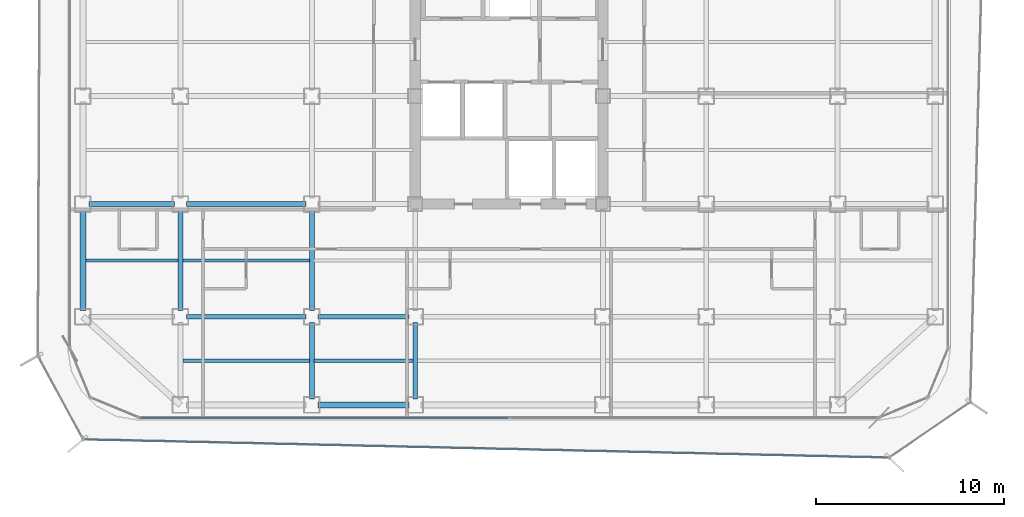
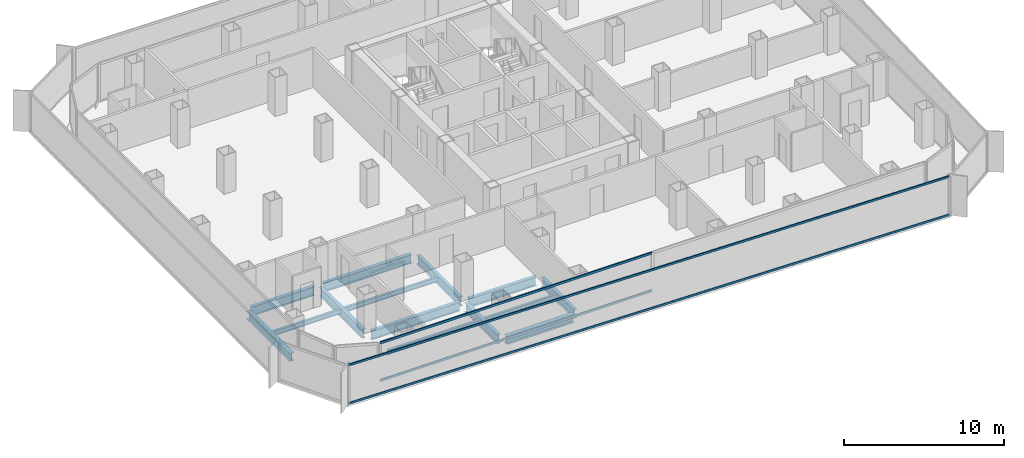
# One storey, part 3 of 21: 14 beams, 4 members, 2 elements without a shape of their own.
"""IFC4 building model written with IfcOpenShell, lengths in metres."""

from ifc_helpers import new_model, si_unit, direction, frame, origin, origin_2d, place, context, subcontext, project, spatial, hollow_rectangle, i_section, extrude, source, transform, mapped, material, layer, layer_set, material_profile, profile_set, type_object, element, aggregate, save


model = new_model("IFC4")

# Units and contexts
model_context = context("Model", 3, precision=1e-05, world=origin(), true_north=direction((0.0, 1.0)))
body_context = subcontext(model_context, "Body", "Model", "MODEL_VIEW")
ifc_project = project(units=[si_unit("LENGTHUNIT", "METRE"), si_unit("AREAUNIT", "SQUARE_METRE"), si_unit("VOLUMEUNIT", "CUBIC_METRE"), si_unit("PLANEANGLEUNIT", "RADIAN"), si_unit("MASSUNIT", "GRAM", prefix="KILO")], contexts=[model_context])

# Site, building, storey
site_placement = place(None, origin())
site = spatial("IfcSite", under=ifc_project, at=site_placement, CompositionType="ELEMENT")
building_placement = place(site_placement, origin())
building = spatial("IfcBuilding", under=site, at=building_placement, Name="Kolveth Station Tower", CompositionType="ELEMENT")
storey_placement = place(building_placement, frame((0.0, 0.0, 118.300048828125)))
storey = spatial("IfcBuildingStorey", under=building, at=storey_placement, Name="L32", CompositionType="ELEMENT", Elevation=118.300048828125)

# Beams
ifc_material_1 = material(Name="Steel S355", Category="steel")
ifc_material_profile_1 = material_profile(ifc_material_1, i_section(OverallWidth=0.323974609375, OverallDepth=0.611083984375, WebThickness=0.0126953125, FlangeThickness=0.01904296875, at=origin_2d()), Name="W610x155")
ifc_profile_set_1 = profile_set([ifc_material_profile_1], Name="Steel S355")
beam_type_1 = type_object("IfcBeamType", Name="Beam_SP2", PredefinedType="SPANDREL", material=ifc_profile_set_1)
shared_shape_1 = source(origin(), body_context, "Body", "SweptSolid", [
    extrude(i_section(OverallWidth=0.323974609375, OverallDepth=0.611083984375, WebThickness=0.0126953125, FlangeThickness=0.01904296875, at=origin_2d()), origin(), (0.0, 0.0, 1.0), 4.85986328125),
])
beam_1_placement = place(storey_placement, frame((13.320068359375, 0.800048828125, -0.5556640625), z_axis=(1.0, 0.0, 0.0), x_axis=(0.0, 1.0, 0.0)))
element("IfcBeam", 1, at=beam_1_placement, inside=storey, type_object=beam_type_1, Name="L32 Perimeter Spandrel BM-L32-PS-2", PredefinedType="SPANDREL", context=body_context, shape_type="MappedRepresentation", body=[
    mapped(shared_shape_1, transform((0.0, 0.0, 0.0), x_axis=(1.0, 0.0, 0.0), y_axis=(0.0, 1.0, 0.0), z_axis=(0.0, 0.0, 1.0), scale=1.0)),
])
shared_shape_2 = source(origin(), body_context, "Body", "SweptSolid", [
    extrude(i_section(OverallWidth=0.323974609375, OverallDepth=0.611083984375, WebThickness=0.0126953125, FlangeThickness=0.01904296875, at=origin_2d()), origin(), (0.0, 0.0, 1.0), 5.35986328125),
])
beam_2_placement = place(storey_placement, frame((0.800048828125, 5.820068359375, -0.5556640625), z_axis=(0.0, 1.0, 0.0), x_axis=(-1.0, 0.0, 0.0)))
element("IfcBeam", 2, at=beam_2_placement, inside=storey, type_object=beam_type_1, Name="L32 Perimeter Spandrel BM-L32-PW-1", PredefinedType="SPANDREL", context=body_context, shape_type="MappedRepresentation", body=[
    mapped(shared_shape_2, transform((0.0, 0.0, 0.0), x_axis=(1.0, 0.0, 0.0), y_axis=(0.0, 1.0, 0.0), z_axis=(0.0, 0.0, 1.0), scale=1.0)),
])
ifc_material_profile_2 = material_profile(ifc_material_1, i_section(OverallWidth=0.25390625, OverallDepth=0.68798828125, WebThickness=0.01318359375, FlangeThickness=0.02099609375, at=origin_2d()), Name="W690x152")
ifc_profile_set_2 = profile_set([ifc_material_profile_2], Name="Steel S355")
beam_type_2 = type_object("IfcBeamType", Name="Beam_B4", PredefinedType="BEAM", material=ifc_profile_set_2)
shared_shape_3 = source(origin(), body_context, "Body", "SweptSolid", [
    extrude(i_section(OverallWidth=0.25390625, OverallDepth=0.68798828125, WebThickness=0.01318359375, FlangeThickness=0.02099609375, at=origin_2d()), origin(), (0.0, 0.0, 1.0), 4.559814453125),
])
beam_3_placement = place(storey_placement, frame((1.1201171875, 11.5, -0.593994140625), z_axis=(1.0, 0.0, 0.0), x_axis=(0.0, 1.0, 0.0)))
element("IfcBeam", 3, at=beam_3_placement, inside=storey, type_object=beam_type_2, Name="L32 Primary Girder BM-L32-GY115-1", PredefinedType="BEAM", context=body_context, shape_type="MappedRepresentation", body=[
    mapped(shared_shape_3, transform((0.0, 0.0, 0.0), x_axis=(1.0, 0.0, 0.0), y_axis=(0.0, 1.0, 0.0), z_axis=(0.0, 0.0, 1.0), scale=1.0)),
])
shared_shape_4 = source(origin(), body_context, "Body", "SweptSolid", [
    extrude(i_section(OverallWidth=0.25390625, OverallDepth=0.68798828125, WebThickness=0.01318359375, FlangeThickness=0.02099609375, at=origin_2d()), origin(), (0.0, 0.0, 1.0), 6.35986328125),
])
for number, where, z_axis, x_axis, name in (
    (4, (6.320068359375, 5.5, -0.593994140625), (1.0, 0.0, 0.0), (0.0, 1.0, 0.0), "L32 Primary Girder BM-L32-GY55-2"),
    (5, (6.320068359375, 11.5, -0.593994140625), (1.0, 0.0, 0.0), (0.0, 1.0, 0.0), "L32 Primary Girder BM-L32-GY115-2"),
):
    element("IfcBeam", number, at=place(storey_placement, frame(where, z_axis=z_axis, x_axis=x_axis)), inside=storey, type_object=beam_type_2, Name=name, PredefinedType="BEAM", context=body_context, shape_type="MappedRepresentation", body=[
        mapped(shared_shape_4, transform((0.0, 0.0, 0.0), x_axis=(1.0, 0.0, 0.0), y_axis=(0.0, 1.0, 0.0), z_axis=(0.0, 0.0, 1.0), scale=1.0)),
    ])
shared_shape_5 = source(origin(), body_context, "Body", "SweptSolid", [
    extrude(i_section(OverallWidth=0.25390625, OverallDepth=0.68798828125, WebThickness=0.01318359375, FlangeThickness=0.02099609375, at=origin_2d()), origin(), (0.0, 0.0, 1.0), 4.85986328125),
])
beam_4_placement = place(storey_placement, frame((13.320068359375, 5.5, -0.593994140625), z_axis=(1.0, 0.0, 0.0), x_axis=(0.0, 1.0, 0.0)))
element("IfcBeam", 6, at=beam_4_placement, inside=storey, type_object=beam_type_2, Name="L32 Primary Girder BM-L32-GY55-3", PredefinedType="BEAM", context=body_context, shape_type="MappedRepresentation", body=[
    mapped(shared_shape_5, transform((0.0, 0.0, 0.0), x_axis=(1.0, 0.0, 0.0), y_axis=(0.0, 1.0, 0.0), z_axis=(0.0, 0.0, 1.0), scale=1.0)),
])
shared_shape_6 = source(origin(), body_context, "Body", "SweptSolid", [
    extrude(i_section(OverallWidth=0.25390625, OverallDepth=0.68798828125, WebThickness=0.01318359375, FlangeThickness=0.02099609375, at=origin_2d()), origin(), (0.0, 0.0, 1.0), 4.059814453125),
])
for number, where, z_axis, x_axis, name in (
    (7, (13.0, 1.1201171875, -0.593994140625), (0.0, 1.0, 0.0), (-1.0, 0.0, 0.0), "L32 Primary Girder BM-L32-GX130-1"),
    (8, (18.5, 1.1201171875, -0.593994140625), (0.0, 1.0, 0.0), (-1.0, 0.0, 0.0), "L32 Primary Girder BM-L32-GX185-1"),
):
    element("IfcBeam", number, at=place(storey_placement, frame(where, z_axis=z_axis, x_axis=x_axis)), inside=storey, type_object=beam_type_2, Name=name, PredefinedType="BEAM", context=body_context, shape_type="MappedRepresentation", body=[
        mapped(shared_shape_6, transform((0.0, 0.0, 0.0), x_axis=(1.0, 0.0, 0.0), y_axis=(0.0, 1.0, 0.0), z_axis=(0.0, 0.0, 1.0), scale=1.0)),
    ])
shared_shape_7 = source(origin(), body_context, "Body", "SweptSolid", [
    extrude(i_section(OverallWidth=0.25390625, OverallDepth=0.68798828125, WebThickness=0.01318359375, FlangeThickness=0.02099609375, at=origin_2d()), origin(), (0.0, 0.0, 1.0), 5.35986328125),
])
for number, where, z_axis, x_axis, name in (
    (9, (6.0, 5.820068359375, -0.593994140625), (0.0, 1.0, 0.0), (-1.0, 0.0, 0.0), "L32 Primary Girder BM-L32-GX60-2"),
    (10, (13.0, 5.820068359375, -0.593994140625), (0.0, 1.0, 0.0), (-1.0, 0.0, 0.0), "L32 Primary Girder BM-L32-GX130-2"),
):
    element("IfcBeam", number, at=place(storey_placement, frame(where, z_axis=z_axis, x_axis=x_axis)), inside=storey, type_object=beam_type_2, Name=name, PredefinedType="BEAM", context=body_context, shape_type="MappedRepresentation", body=[
        mapped(shared_shape_7, transform((0.0, 0.0, 0.0), x_axis=(1.0, 0.0, 0.0), y_axis=(0.0, 1.0, 0.0), z_axis=(0.0, 0.0, 1.0), scale=1.0)),
    ])
ifc_material_profile_3 = material_profile(ifc_material_1, i_section(OverallWidth=0.1708984375, OverallDepth=0.35205078125, WebThickness=0.0068359375, FlangeThickness=0.009765625, at=origin_2d()), Name="W360x44")
ifc_profile_set_3 = profile_set([ifc_material_profile_3], Name="Steel S355")
beam_type_3 = type_object("IfcBeamType", Name="Beam_J2", PredefinedType="JOIST", material=ifc_profile_set_3)
shared_shape_8 = source(origin(), body_context, "Body", "SweptSolid", [
    extrude(i_section(OverallWidth=0.1708984375, OverallDepth=0.35205078125, WebThickness=0.0068359375, FlangeThickness=0.009765625, at=origin_2d()), origin(), (0.0, 0.0, 1.0), 4.9150390625),
])
beam_5_placement = place(storey_placement, frame((0.9599609375, 8.5, -0.426025390625), z_axis=(1.0, 0.0, 0.0), x_axis=(0.0, 1.0, 0.0)))
element("IfcBeam", 11, at=beam_5_placement, inside=storey, type_object=beam_type_3, Name="L32 Secondary Joist JST-L32-1-2", PredefinedType="JOIST", context=body_context, shape_type="MappedRepresentation", body=[
    mapped(shared_shape_8, transform((0.0, 0.0, 0.0), x_axis=(1.0, 0.0, 0.0), y_axis=(0.0, 1.0, 0.0), z_axis=(0.0, 0.0, 1.0), scale=1.0)),
])
shared_shape_9 = source(origin(), body_context, "Body", "SweptSolid", [
    extrude(i_section(OverallWidth=0.1708984375, OverallDepth=0.35205078125, WebThickness=0.0068359375, FlangeThickness=0.009765625, at=origin_2d()), origin(), (0.0, 0.0, 1.0), 6.75),
])
for number, where, z_axis, x_axis, name in (
    (12, (6.125, 3.14990234375, -0.426025390625), (1.0, 0.0, 0.0), (0.0, 1.0, 0.0), "L32 Secondary Joist JST-L32-2-1"),
    (13, (6.125, 8.5, -0.426025390625), (1.0, 0.0, 0.0), (0.0, 1.0, 0.0), "L32 Secondary Joist JST-L32-2-2"),
):
    element("IfcBeam", number, at=place(storey_placement, frame(where, z_axis=z_axis, x_axis=x_axis)), inside=storey, type_object=beam_type_3, Name=name, PredefinedType="JOIST", context=body_context, shape_type="MappedRepresentation", body=[
        mapped(shared_shape_9, transform((0.0, 0.0, 0.0), x_axis=(1.0, 0.0, 0.0), y_axis=(0.0, 1.0, 0.0), z_axis=(0.0, 0.0, 1.0), scale=1.0)),
    ])
shared_shape_10 = source(origin(), body_context, "Body", "SweptSolid", [
    extrude(i_section(OverallWidth=0.1708984375, OverallDepth=0.35205078125, WebThickness=0.0068359375, FlangeThickness=0.009765625, at=origin_2d()), origin(), (0.0, 0.0, 1.0), 5.25),
])
beam_6_placement = place(storey_placement, frame((13.125, 3.14990234375, -0.426025390625), z_axis=(1.0, 0.0, 0.0), x_axis=(0.0, 1.0, 0.0)))
element("IfcBeam", 14, at=beam_6_placement, inside=storey, type_object=beam_type_3, Name="L32 Secondary Joist JST-L32-3-1", PredefinedType="JOIST", context=body_context, shape_type="MappedRepresentation", body=[
    mapped(shared_shape_10, transform((0.0, 0.0, 0.0), x_axis=(1.0, 0.0, 0.0), y_axis=(0.0, 1.0, 0.0), z_axis=(0.0, 0.0, 1.0), scale=1.0)),
])

# Curtain wall, members
ifc_material_2 = material(Name="Aluminium 6063-T6 and low-E dark glass", Category="aluminium")
ifc_layer_1 = layer(ifc_material_2, 0.18994140625)
ifc_layer_set_1 = layer_set([ifc_layer_1], Name="Aluminium 6063-T6 and low-E dark glass")
curtain_wall_type_1 = type_object("IfcCurtainWallType", Name="CurtainWall_CW-Z2", PredefinedType="NOTDEFINED", material=ifc_layer_set_1)
curtain_wall_1_placement = place(storey_placement, origin())
curtain_wall_1 = element("IfcCurtainWall", 15, at=curtain_wall_1_placement, inside=storey, type_object=curtain_wall_type_1, Name="L32 Inner Thermal Curtain Wall 12", PredefinedType="NOTDEFINED")
ifc_material_3 = material(Name="Black anodized aluminium 6063-T6", Category="aluminium")
ifc_material_profile_4 = material_profile(ifc_material_3, hollow_rectangle(XDim=0.080078125, YDim=0.169921875, WallThickness=0.0048828125, at=origin_2d()), Name="ALU-80x170x5")
ifc_profile_set_4 = profile_set([ifc_material_profile_4], Name="Black anodized aluminium 6063-T6")
member_type_1 = type_object("IfcMemberType", Name="Transom_TR2", PredefinedType="USERDEFINED", material=ifc_profile_set_4)
shared_shape_11 = source(origin(), body_context, "Body", "SweptSolid", [
    extrude(hollow_rectangle(XDim=0.080078125, YDim=0.169921875, WallThickness=0.0048828125, at=origin_2d()), origin(), (0.0, 0.0, 1.0), 19.580078125),
])
member_1_placement = place(storey_placement, frame((3.8798828125, 0.1201171875, 0.0400390625), z_axis=(1.0, 0.0, 0.0), x_axis=(0.0, 1.0, 0.0)))
member_1 = element("IfcMember", 16, at=member_1_placement, type_object=member_type_1, Name="CW-Z2 transom 1.1", ObjectType="TRANSOM", PredefinedType="USERDEFINED", context=body_context, shape_type="MappedRepresentation", body=[
    mapped(shared_shape_11, transform((0.0, 0.0, 0.0), x_axis=(1.0, 0.0, 0.0), y_axis=(0.0, 1.0, 0.0), z_axis=(0.0, 0.0, 1.0), scale=1.0)),
])
member_2_placement = place(storey_placement, frame((3.8798828125, 0.1201171875, 2.909912109375), z_axis=(1.0, 0.0, 0.0), x_axis=(0.0, 1.0, 0.0)))
member_2 = element("IfcMember", 17, at=member_2_placement, type_object=member_type_1, Name="CW-Z2 transom 1.2", ObjectType="TRANSOM", PredefinedType="USERDEFINED", context=body_context, shape_type="MappedRepresentation", body=[
    mapped(shared_shape_11, transform((0.0, 0.0, 0.0), x_axis=(1.0, 0.0, 0.0), y_axis=(0.0, 1.0, 0.0), z_axis=(0.0, 0.0, 1.0), scale=1.0)),
])
aggregate(curtain_wall_1, [member_1, member_2])

ifc_material_4 = material(Name="Black anodized aluminium 6063-T6 and dark solar glass", Category="aluminium")
ifc_layer_2 = layer(ifc_material_4, 0.159912109375)
ifc_layer_set_2 = layer_set([ifc_layer_2], Name="Black anodized aluminium 6063-T6 and dark solar glass")
curtain_wall_type_2 = type_object("IfcCurtainWallType", Name="OUTER SKIN CW-OS", PredefinedType="NOTDEFINED", material=ifc_layer_set_2)
curtain_wall_2_placement = place(storey_placement, origin())
curtain_wall_2 = element("IfcCurtainWall", 18, at=curtain_wall_2_placement, inside=storey, type_object=curtain_wall_type_2, Name="L32 Outer Ventilated Skin Curtain Wall 8", PredefinedType="NOTDEFINED")
ifc_material_profile_5 = material_profile(ifc_material_3, hollow_rectangle(XDim=0.080078125, YDim=0.14990234375, WallThickness=0.0048828125, at=origin_2d()), Name="ALU-80x150x5")
ifc_profile_set_5 = profile_set([ifc_material_profile_5], Name="Black anodized aluminium 6063-T6")
member_type_2 = type_object("IfcMemberType", Name="Transom_TR-OS", PredefinedType="USERDEFINED", material=ifc_profile_set_5)
shared_shape_12 = source(origin(), body_context, "Body", "SweptSolid", [
    extrude(hollow_rectangle(XDim=0.080078125, YDim=0.14990234375, WallThickness=0.0048828125, at=origin_2d()), origin(), (0.0, 0.0, 1.0), 42.750732421875),
])
member_3_placement = place(storey_placement, frame((0.916015625, -1.03759765625, 0.0400390625), z_axis=(0.999743995041, -0.022626187913, 0.0), x_axis=(0.022626187913, 0.999743995041, 0.0)))
member_3 = element("IfcMember", 19, at=member_3_placement, type_object=member_type_2, Name="CW-OS transom 1.1", ObjectType="TRANSOM", PredefinedType="USERDEFINED", context=body_context, shape_type="MappedRepresentation", body=[
    mapped(shared_shape_12, transform((0.0, 0.0, 0.0), x_axis=(1.0, 0.0, 0.0), y_axis=(0.0, 1.0, 0.0), z_axis=(0.0, 0.0, 1.0), scale=1.0)),
])
member_4_placement = place(storey_placement, frame((0.916015625, -1.03759765625, 2.949951171875), z_axis=(0.999743995041, -0.022626187913, 0.0), x_axis=(0.022626187913, 0.999743995041, 0.0)))
member_4 = element("IfcMember", 20, at=member_4_placement, type_object=member_type_2, Name="CW-OS transom 1.2", ObjectType="TRANSOM", PredefinedType="USERDEFINED", context=body_context, shape_type="MappedRepresentation", body=[
    mapped(shared_shape_12, transform((0.0, 0.0, 0.0), x_axis=(1.0, 0.0, 0.0), y_axis=(0.0, 1.0, 0.0), z_axis=(0.0, 0.0, 1.0), scale=1.0)),
])
aggregate(curtain_wall_2, [member_3, member_4])

save(model, "model.ifc")
